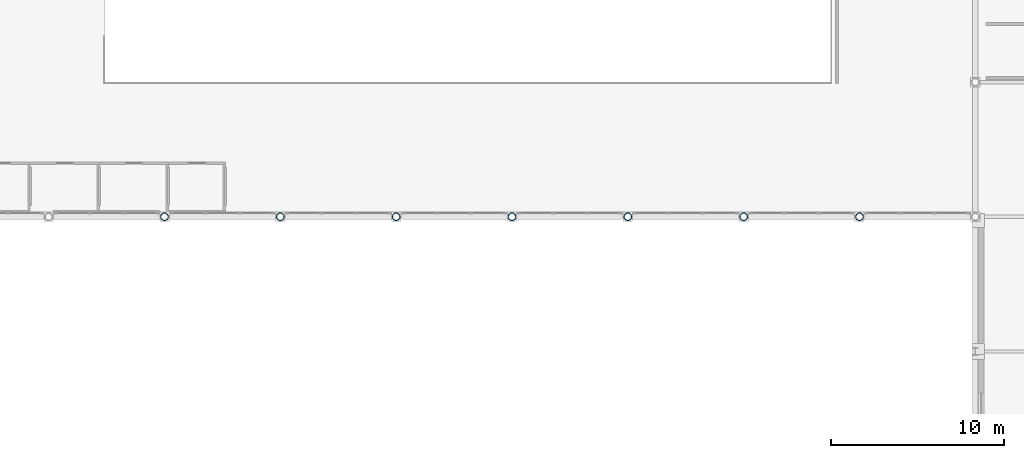
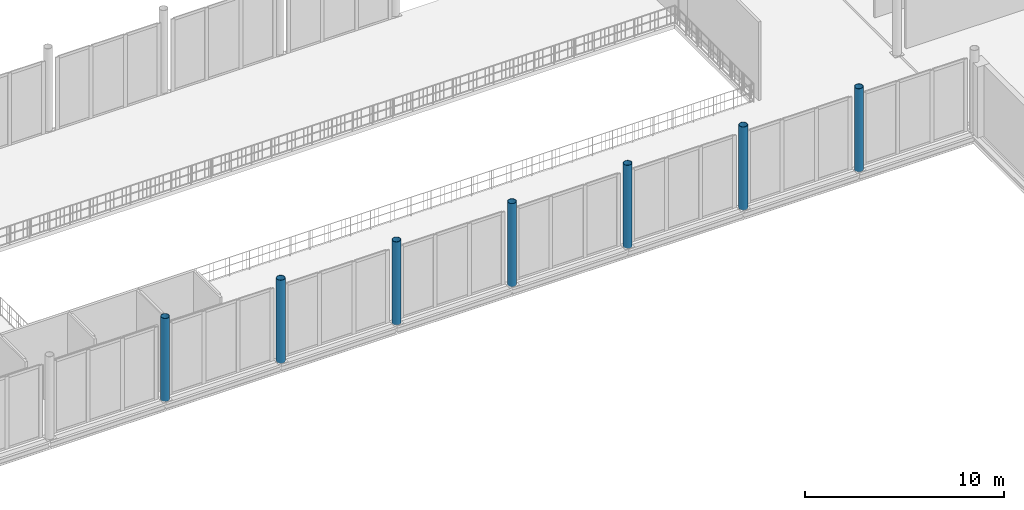
# One storey, part 5 of 105: 7 columns.
"""IFC4 building model written with IfcOpenShell, lengths in metres."""

import ifcopenshell
import ifcopenshell.guid

model = None  # the IFC model being written
_history = None  # IfcOwnerHistory: only IFC2X3 demands one
_inside = {}  # id of a spatial element -> (the spatial element, [elements in it])
_under = {}  # id of a project, library or spatial element -> (it, [spatial elements below it])
_declared = {}  # id of a project -> (the project, [libraries it declares])
_typed = {}  # id of a type object -> (the type object, [elements of that type])
_made_of = {}  # id of a material, layer set ... -> (it, [elements and type objects made of it])


def new_model(schema):
    """Start an empty IFC model of exactly this schema.

    Asked for "IFC4X3", IfcOpenShell would pick the latest addendum, in which some entities
    have other attributes; the version numbers below select the first issue.
    IFC2X3 requires an IfcOwnerHistory on every rooted entity: one is made here for all.
    """
    global model, _history
    if schema == "IFC4X3":
        model = ifcopenshell.file(schema_version=(4, 3, 0, 0))
    else:
        model = ifcopenshell.file(schema=schema)
    _inside.clear()
    _under.clear()
    _declared.clear()
    _typed.clear()
    _made_of.clear()
    _history = None
    if model.schema == "IFC2X3":
        org = make("IfcOrganization", Name="unknown")
        user = make(
            "IfcPersonAndOrganization",
            ThePerson=make("IfcPerson", FamilyName="unknown"),
            TheOrganization=org,
        )
        app = make(
            "IfcApplication",
            ApplicationDeveloper=org,
            Version="unknown",
            ApplicationFullName="unknown",
            ApplicationIdentifier="unknown",
        )
        _history = make(
            "IfcOwnerHistory",
            OwningUser=user,
            OwningApplication=app,
            ChangeAction="ADDED",
            CreationDate=0,
        )
    return model


def make(cls, **values):
    """One entity of the class cls with the attributes given. An attribute that is None is left unset."""
    return model.create_entity(
        cls, **{name: value for name, value in values.items() if value is not None}
    )


def rooted(cls, **values):
    """An entity with a GlobalId (a new one), such as an element, a storey or a relation."""
    return make(cls, GlobalId=ifcopenshell.guid.new(), OwnerHistory=_history, **values)


def si_unit(unit_type, name, prefix=None):
    """IfcSIUnit, for example si_unit("LENGTHUNIT", "METRE", prefix="MILLI")."""
    return make("IfcSIUnit", UnitType=unit_type, Prefix=prefix, Name=name)


def assignment(units):
    """IfcUnitAssignment: the units of a project."""
    return None if units is None else make("IfcUnitAssignment", Units=units)


def point(xyz):
    """IfcCartesianPoint."""
    return None if xyz is None else make("IfcCartesianPoint", Coordinates=xyz)


def direction(xyz):
    """IfcDirection."""
    return None if xyz is None else make("IfcDirection", DirectionRatios=xyz)


def frame(location, z_axis=None, x_axis=None):
    """IfcAxis2Placement3D, a coordinate frame: its origin and axes. An axis left out is left unset."""
    return make(
        "IfcAxis2Placement3D",
        Location=point(location),
        Axis=direction(z_axis),
        RefDirection=direction(x_axis),
    )


def frame_2d(location, x_axis=None):
    """IfcAxis2Placement2D, a coordinate frame in the plane: its origin and x axis."""
    return make(
        "IfcAxis2Placement2D", Location=point(location), RefDirection=direction(x_axis)
    )


def origin():
    """The frame at (0, 0, 0) with its axes left unset."""
    return frame((0.0, 0.0, 0.0))


def origin_2d():
    """The frame at (0, 0) in the plane with its x axis left unset."""
    return frame_2d((0.0, 0.0))


def place(relative_to, where):
    """IfcLocalPlacement: puts the frame where relative to a parent placement (None: the world)."""
    return make(
        "IfcLocalPlacement", PlacementRelTo=relative_to, RelativePlacement=where
    )


def context(
    kind, dimensions, precision=None, world=None, true_north=None, identifier=None
):
    """IfcGeometricRepresentationContext, for example the 3D "Model" context."""
    return make(
        "IfcGeometricRepresentationContext",
        ContextIdentifier=identifier,
        ContextType=kind,
        CoordinateSpaceDimension=dimensions,
        Precision=precision,
        WorldCoordinateSystem=world,
        TrueNorth=true_north,
    )


def subcontext(parent, identifier, kind, view, scale=None):
    """IfcGeometricRepresentationSubContext, for example "Body" below "Model"."""
    return make(
        "IfcGeometricRepresentationSubContext",
        ContextIdentifier=identifier,
        ContextType=kind,
        ParentContext=parent,
        TargetScale=scale,
        TargetView=view,
    )


def project(units=None, contexts=None):
    """IfcProject with its units and contexts."""
    return rooted(
        "IfcProject",
        Name="project",
        RepresentationContexts=contexts,
        UnitsInContext=assignment(units),
    )


def spatial(cls, under=None, at=None, **own):
    """A site, building, storey or space (cls), placed at a placement, below another one or the project."""
    s = rooted(cls, ObjectPlacement=at, **own)
    if under is not None:
        _under.setdefault(under.id(), (under, []))[1].append(s)
    return s


def profile(cls, at=None, kind="AREA", **sizes):
    """A parametric profile (cls). Its sizes go by their IFC names, for example OverallWidth=200.0."""
    return make(cls, ProfileType=kind, Position=at, **sizes)


def hollow_circle(**sizes):
    """IfcCircleHollowProfileDef."""
    return profile("IfcCircleHollowProfileDef", **sizes)


def extrude(swept, where, along, depth):
    """IfcExtrudedAreaSolid: the profile swept, set in the frame where, extruded along a direction by depth."""
    return make(
        "IfcExtrudedAreaSolid",
        SweptArea=swept,
        Position=where,
        ExtrudedDirection=direction(along),
        Depth=depth,
    )


def shape(context_of_items, identifier, shape_type, items):
    """IfcShapeRepresentation: the items that make up one representation, for example the "Body"."""
    return make(
        "IfcShapeRepresentation",
        ContextOfItems=context_of_items,
        RepresentationIdentifier=identifier,
        RepresentationType=shape_type,
        Items=items,
    )


def material(Name=None, Category=None):
    """IfcMaterial."""
    return make("IfcMaterial", Name=Name, Category=Category)


def material_profile(
    of_material, cross_section, Name=None, Category=None, Priority=None
):
    """IfcMaterialProfile: a cross section and its material."""
    return make(
        "IfcMaterialProfile",
        Name=Name,
        Material=of_material,
        Profile=cross_section,
        Priority=Priority,
        Category=Category,
    )


def profile_set(profiles, Name=None, composite=None):
    """IfcMaterialProfileSet."""
    return make(
        "IfcMaterialProfileSet",
        Name=Name,
        MaterialProfiles=profiles,
        CompositeProfile=composite,
    )


def made_of(thing, what):
    """Note that an element or type object is made of a material, layer set ...; save() writes the relation."""
    if what is not None:
        _made_of.setdefault(what.id(), (what, []))[1].append(thing)
    return thing


def type_object(cls, material=None, **own):
    """A type object (cls), such as IfcWallType, which elements share."""
    return made_of(rooted(cls, **own), material)


def element(
    cls,
    number,
    at=None,
    inside=None,
    cuts=None,
    type_object=None,
    material=None,
    context=None,
    identifier="Body",
    shape_type=None,
    held_by="IfcProductDefinitionShape",
    body=None,
    shapes=None,
    **own,
):
    """One element of the class cls, such as IfcWall. Its Tag is "e" and its number.

    at: its placement. inside: the storey or other place that contains it. cuts: it is an
    opening in that element (IfcRelVoidsElement). A single representation is given by context,
    identifier, shape_type and body (its items); several are given by shapes. held_by: the class
    of the entity that holds the representations. save() writes the other relations.
    """
    e = rooted(cls, Tag="e%d" % number, ObjectPlacement=at, **own)
    if body is not None:
        shapes = [shape(context, identifier, shape_type, body)]
    if shapes is not None:
        e.Representation = make(held_by, Representations=shapes)
    if inside is not None:
        _inside.setdefault(inside.id(), (inside, []))[1].append(e)
    if cuts is not None:
        rooted(
            "IfcRelVoidsElement", RelatingBuildingElement=cuts, RelatedOpeningElement=e
        )
    if type_object is not None:
        _typed.setdefault(type_object.id(), (type_object, []))[1].append(e)
    return made_of(e, material)


def aggregate(whole, parts):
    """IfcRelAggregates: a whole, such as a stair, and the parts it consists of."""
    return rooted("IfcRelAggregates", RelatingObject=whole, RelatedObjects=parts)


def save(model, path):
    """Write the relations noted so far, then the file.

    IfcRelAggregates (storeys below a building ...), IfcRelContainedInSpatialStructure (elements
    in a storey), IfcRelDefinesByType, IfcRelAssociatesMaterial and IfcRelDeclares: one each for
    every whole, place, type object, material and project.
    """
    for whole, parts in _under.values():
        aggregate(whole, parts)
    for where, things in _inside.values():
        rooted(
            "IfcRelContainedInSpatialStructure",
            RelatedElements=things,
            RelatingStructure=where,
        )
    for kind, things in _typed.values():
        rooted("IfcRelDefinesByType", RelatedObjects=things, RelatingType=kind)
    for what, things in _made_of.values():
        rooted("IfcRelAssociatesMaterial", RelatedObjects=things, RelatingMaterial=what)
    for by, libraries in _declared.values():
        rooted("IfcRelDeclares", RelatingContext=by, RelatedDefinitions=libraries)
    model.write(path)


model = new_model("IFC4")

# Units and contexts
model_context = context("Model", 3, precision=1e-05, world=origin(), true_north=direction((0.0, 1.0)))
body_context = subcontext(model_context, "Body", "Model", "MODEL_VIEW")
ifc_project = project(units=[si_unit("LENGTHUNIT", "METRE"), si_unit("AREAUNIT", "SQUARE_METRE"), si_unit("VOLUMEUNIT", "CUBIC_METRE"), si_unit("PLANEANGLEUNIT", "RADIAN"), si_unit("MASSUNIT", "GRAM", prefix="KILO")], contexts=[model_context])

# Site, building, storey
site_placement = place(None, origin())
site = spatial("IfcSite", under=ifc_project, at=site_placement, CompositionType="ELEMENT")
building_placement = place(site_placement, origin())
building = spatial("IfcBuilding", under=site, at=building_placement, Name="Nabrawat Pavilion Hospital", CompositionType="ELEMENT")
storey_placement = place(building_placement, frame((0.0, 0.0, 5.10009765625)))
storey = spatial("IfcBuildingStorey", under=building, at=storey_placement, Name="L01", CompositionType="ELEMENT", Elevation=5.10009765625)

# Columns
ifc_material = material(Name="Steel S355", Category="steel")
ifc_material_profile = material_profile(ifc_material, hollow_circle(Radius=0.228515625, WallThickness=0.02001953125, at=origin_2d()), Name="CHS 457x20")
ifc_profile_set = profile_set([ifc_material_profile], Name="Steel S355")
column_type = type_object("IfcColumnType", Name="Expressed Pavilion Tubular Column CHS 457x20", PredefinedType="COLUMN", material=ifc_profile_set)
for number, where, z_axis, x_axis, name in (
    (1, (79.0439453125, 15.60009765625, 0.0), (0.0, 0.0, 1.0), (1.0, 0.0, 0.0), "L01 Expressed Pavilion Column MH-S03"),
    (2, (85.751953125, 15.60009765625, 0.0), (0.0, 0.0, 1.0), (1.0, 0.0, 0.0), "L01 Expressed Pavilion Column MH-S04"),
    (3, (92.4599609375, 15.60009765625, 0.0), (0.0, 0.0, 1.0), (1.0, 0.0, 0.0), "L01 Expressed Pavilion Column MH-S05"),
    (4, (99.16796875, 15.60009765625, 0.0), (0.0, 0.0, 1.0), (1.0, 0.0, 0.0), "L01 Expressed Pavilion Column MH-S06"),
    (5, (105.8759765625, 15.60009765625, 0.0), (0.0, 0.0, 1.0), (1.0, 0.0, 0.0), "L01 Expressed Pavilion Column MH-S07"),
    (6, (112.583984375, 15.60009765625, 0.0), (0.0, 0.0, 1.0), (1.0, 0.0, 0.0), "L01 Expressed Pavilion Column MH-S08"),
    (7, (119.2919921875, 15.60009765625, 0.0), (0.0, 0.0, 1.0), (1.0, 0.0, 0.0), "L01 Expressed Pavilion Column MH-S09"),
):
    element("IfcColumn", number, at=place(storey_placement, frame(where, z_axis=z_axis, x_axis=x_axis)), inside=storey, type_object=column_type, Name=name, PredefinedType="COLUMN", context=body_context, shape_type="SweptSolid", body=[
        extrude(hollow_circle(Radius=0.228515625, WallThickness=0.02001953125, at=origin_2d()), origin(), (0.0, 0.0, 1.0), 5.099853515625),
    ])

save(model, "model.ifc")
